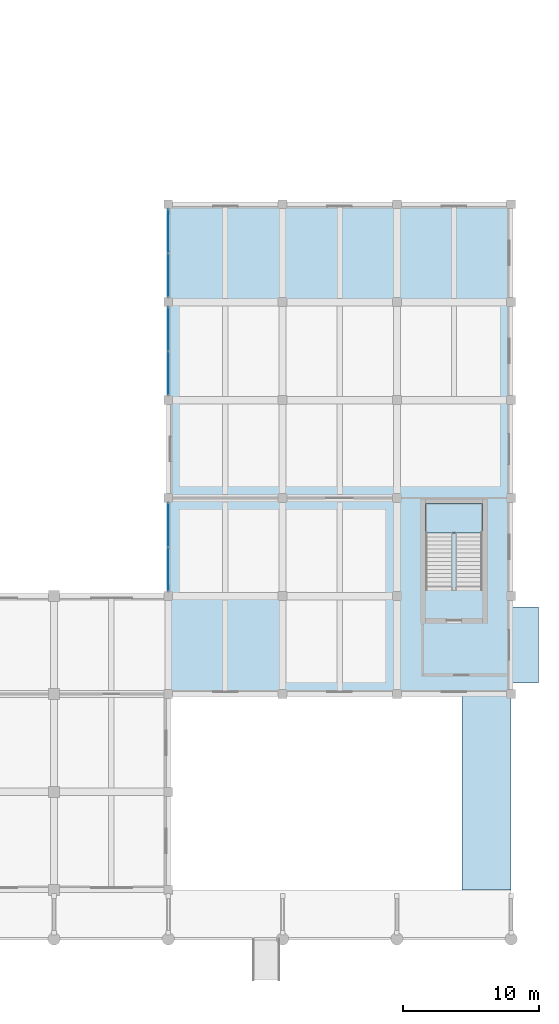
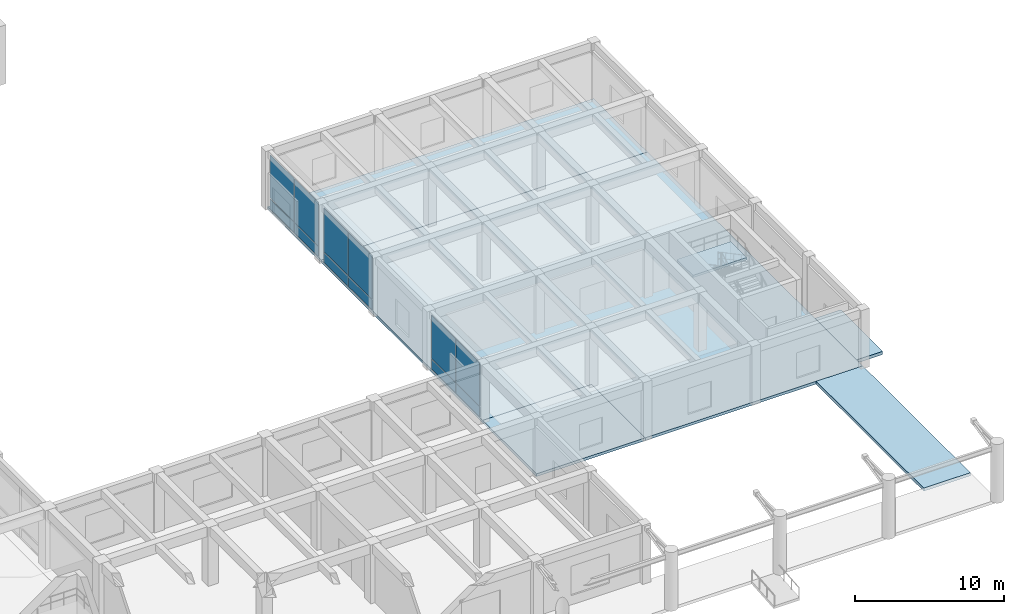
# One storey, part 21 of 49: 12 plates, 6 slabs, 4 elements without a shape of their own.
"""IFC4 building model written with IfcOpenShell, lengths in metres."""

from ifc_helpers import new_model, si_unit, direction, frame, origin, origin_2d, place, context, subcontext, project, spatial, polyline, rectangle, outline, extrude, material, layer, layer_set, type_object, element, aggregate, save


model = new_model("IFC4")

# Units and contexts
model_context = context("Model", 3, precision=1e-05, world=origin(), true_north=direction((0.0, 1.0)))
body_context = subcontext(model_context, "Body", "Model", "MODEL_VIEW")
ifc_project = project(units=[si_unit("LENGTHUNIT", "METRE"), si_unit("AREAUNIT", "SQUARE_METRE"), si_unit("VOLUMEUNIT", "CUBIC_METRE"), si_unit("PLANEANGLEUNIT", "RADIAN"), si_unit("MASSUNIT", "GRAM", prefix="KILO")], contexts=[model_context])

# Site, building, storey
site_placement = place(None, origin())
site = spatial("IfcSite", under=ifc_project, at=site_placement, CompositionType="ELEMENT")
building_placement = place(site_placement, origin())
building = spatial("IfcBuilding", under=site, at=building_placement, Name="Kenerak Square Central Library", CompositionType="ELEMENT")
storey_placement = place(building_placement, origin())
storey = spatial("IfcBuildingStorey", under=building, at=storey_placement, Name="L00", CompositionType="ELEMENT", Elevation=0.0)

# Curtain wall, plates
ifc_material_1 = material(Name="Anodised aluminium and solar-control low-E glazing", Category="aluminium")
curtain_wall_type = type_object("IfcCurtainWallType", Name="Curtain Wall CW-V2-65x45 6550x4525", PredefinedType="USERDEFINED", material=ifc_material_1)
curtain_wall_1_placement = place(storey_placement, origin())
curtain_wall_1 = element("IfcCurtainWall", 1, at=curtain_wall_1_placement, inside=storey, type_object=curtain_wall_type, Name="Curtain Wall CW-V2-65x45 L00 0014", ObjectType="CURTAIN WALL", PredefinedType="USERDEFINED")
ifc_material_2 = material(Name="Acoustic solar-control low-E double glazing", Category="glass")
ifc_layer_1 = layer(ifc_material_2, 0.028076171875)
ifc_layer_set_1 = layer_set([ifc_layer_1], Name="Acoustic solar-control low-E double glazing")
plate_type = type_object("IfcPlateType", Name="Acoustic Laminated Curtain Panel CP-28", PredefinedType="CURTAIN_PANEL", material=ifc_layer_set_1)
plate_1_placement = place(storey_placement, frame((150.800048828125, 40.37744140625, 0.06005859375), z_axis=(0.0, 0.0, 1.0), x_axis=(0.0, 1.0, 0.0)))
plate_1 = element("IfcPlate", 2, at=plate_1_placement, type_object=plate_type, Name="CW-V2-65x45 Panel 1.1", PredefinedType="CURTAIN_PANEL", context=body_context, shape_type="SweptSolid", body=[
    extrude(rectangle(XDim=3.18505859375, YDim=0.028076171875, at=origin_2d()), origin(), (0.0, 0.0, 1.0), 0.81005859375),
])
plate_2_placement = place(storey_placement, frame((150.800048828125, 40.37744140625, 0.93017578125), z_axis=(0.0, 0.0, 1.0), x_axis=(0.0, 1.0, 0.0)))
plate_2 = element("IfcPlate", 3, at=plate_2_placement, type_object=plate_type, Name="CW-V2-65x45 Panel 1.2", PredefinedType="CURTAIN_PANEL", context=body_context, shape_type="SweptSolid", body=[
    extrude(rectangle(XDim=3.18505859375, YDim=0.028076171875, at=origin_2d()), origin(), (0.0, 0.0, 1.0), 3.534912109375),
])
plate_3_placement = place(storey_placement, frame((150.800048828125, 43.62255859375, 0.06005859375), z_axis=(0.0, 0.0, 1.0), x_axis=(0.0, 1.0, 0.0)))
plate_3 = element("IfcPlate", 4, at=plate_3_placement, type_object=plate_type, Name="CW-V2-65x45 Panel 2.1", PredefinedType="CURTAIN_PANEL", context=body_context, shape_type="SweptSolid", body=[
    extrude(rectangle(XDim=3.18505859375, YDim=0.028076171875, at=origin_2d()), origin(), (0.0, 0.0, 1.0), 0.81005859375),
])
plate_4_placement = place(storey_placement, frame((150.800048828125, 43.62255859375, 0.93017578125), z_axis=(0.0, 0.0, 1.0), x_axis=(0.0, 1.0, 0.0)))
plate_4 = element("IfcPlate", 5, at=plate_4_placement, type_object=plate_type, Name="CW-V2-65x45 Panel 2.2", PredefinedType="CURTAIN_PANEL", context=body_context, shape_type="SweptSolid", body=[
    extrude(rectangle(XDim=3.18505859375, YDim=0.028076171875, at=origin_2d()), origin(), (0.0, 0.0, 1.0), 3.534912109375),
])
aggregate(curtain_wall_1, [plate_1, plate_2, plate_3, plate_4])

curtain_wall_2_placement = place(storey_placement, origin())
curtain_wall_2 = element("IfcCurtainWall", 6, at=curtain_wall_2_placement, inside=storey, type_object=curtain_wall_type, Name="Curtain Wall CW-V2-65x45 L00 0015", ObjectType="CURTAIN WALL", PredefinedType="USERDEFINED")
plate_5_placement = place(storey_placement, frame((150.800048828125, 54.777587890625, 0.06005859375), z_axis=(0.0, 0.0, 1.0), x_axis=(0.0, 1.0, 0.0)))
plate_5 = element("IfcPlate", 7, at=plate_5_placement, type_object=plate_type, Name="CW-V2-65x45 Panel 1.1", PredefinedType="CURTAIN_PANEL", context=body_context, shape_type="SweptSolid", body=[
    extrude(rectangle(XDim=3.18505859375, YDim=0.028076171875, at=origin_2d()), origin(), (0.0, 0.0, 1.0), 0.81005859375),
])
plate_6_placement = place(storey_placement, frame((150.800048828125, 54.777587890625, 0.93017578125), z_axis=(0.0, 0.0, 1.0), x_axis=(0.0, 1.0, 0.0)))
plate_6 = element("IfcPlate", 8, at=plate_6_placement, type_object=plate_type, Name="CW-V2-65x45 Panel 1.2", PredefinedType="CURTAIN_PANEL", context=body_context, shape_type="SweptSolid", body=[
    extrude(rectangle(XDim=3.18505859375, YDim=0.028076171875, at=origin_2d()), origin(), (0.0, 0.0, 1.0), 3.534912109375),
])
plate_7_placement = place(storey_placement, frame((150.800048828125, 58.0224609375, 0.06005859375), z_axis=(0.0, 0.0, 1.0), x_axis=(0.0, 1.0, 0.0)))
plate_7 = element("IfcPlate", 9, at=plate_7_placement, type_object=plate_type, Name="CW-V2-65x45 Panel 2.1", PredefinedType="CURTAIN_PANEL", context=body_context, shape_type="SweptSolid", body=[
    extrude(rectangle(XDim=3.18505859375, YDim=0.028076171875, at=origin_2d()), origin(), (0.0, 0.0, 1.0), 0.81005859375),
])
plate_8_placement = place(storey_placement, frame((150.800048828125, 58.0224609375, 0.93017578125), z_axis=(0.0, 0.0, 1.0), x_axis=(0.0, 1.0, 0.0)))
plate_8 = element("IfcPlate", 10, at=plate_8_placement, type_object=plate_type, Name="CW-V2-65x45 Panel 2.2", PredefinedType="CURTAIN_PANEL", context=body_context, shape_type="SweptSolid", body=[
    extrude(rectangle(XDim=3.18505859375, YDim=0.028076171875, at=origin_2d()), origin(), (0.0, 0.0, 1.0), 3.534912109375),
])
aggregate(curtain_wall_2, [plate_5, plate_6, plate_7, plate_8])

curtain_wall_3_placement = place(storey_placement, origin())
curtain_wall_3 = element("IfcCurtainWall", 11, at=curtain_wall_3_placement, inside=storey, type_object=curtain_wall_type, Name="Curtain Wall CW-V2-65x45 L00 0016", ObjectType="CURTAIN WALL", PredefinedType="USERDEFINED")
plate_9_placement = place(storey_placement, frame((150.800048828125, 61.9775390625, 0.06005859375), z_axis=(0.0, 0.0, 1.0), x_axis=(0.0, 1.0, 0.0)))
plate_9 = element("IfcPlate", 12, at=plate_9_placement, type_object=plate_type, Name="CW-V2-65x45 Panel 1.1", PredefinedType="CURTAIN_PANEL", context=body_context, shape_type="SweptSolid", body=[
    extrude(rectangle(XDim=3.18505859375, YDim=0.028076171875, at=origin_2d()), origin(), (0.0, 0.0, 1.0), 0.81005859375),
])
plate_10_placement = place(storey_placement, frame((150.800048828125, 61.9775390625, 0.93017578125), z_axis=(0.0, 0.0, 1.0), x_axis=(0.0, 1.0, 0.0)))
plate_10 = element("IfcPlate", 13, at=plate_10_placement, type_object=plate_type, Name="CW-V2-65x45 Panel 1.2", PredefinedType="CURTAIN_PANEL", context=body_context, shape_type="SweptSolid", body=[
    extrude(rectangle(XDim=3.18505859375, YDim=0.028076171875, at=origin_2d()), origin(), (0.0, 0.0, 1.0), 3.534912109375),
])
plate_11_placement = place(storey_placement, frame((150.800048828125, 65.222412109375, 0.06005859375), z_axis=(0.0, 0.0, 1.0), x_axis=(0.0, 1.0, 0.0)))
plate_11 = element("IfcPlate", 14, at=plate_11_placement, type_object=plate_type, Name="CW-V2-65x45 Panel 2.1", PredefinedType="CURTAIN_PANEL", context=body_context, shape_type="SweptSolid", body=[
    extrude(rectangle(XDim=3.18505859375, YDim=0.028076171875, at=origin_2d()), origin(), (0.0, 0.0, 1.0), 0.81005859375),
])
plate_12_placement = place(storey_placement, frame((150.800048828125, 65.222412109375, 0.93017578125), z_axis=(0.0, 0.0, 1.0), x_axis=(0.0, 1.0, 0.0)))
plate_12 = element("IfcPlate", 15, at=plate_12_placement, type_object=plate_type, Name="CW-V2-65x45 Panel 2.2", PredefinedType="CURTAIN_PANEL", context=body_context, shape_type="SweptSolid", body=[
    extrude(rectangle(XDim=3.18505859375, YDim=0.028076171875, at=origin_2d()), origin(), (0.0, 0.0, 1.0), 3.534912109375),
])
aggregate(curtain_wall_3, [plate_9, plate_10, plate_11, plate_12])

# Slabs
ifc_material_3 = material(Name="Concrete C40/50", Category="concrete")
ifc_layer_2 = layer(ifc_material_3, 0.22509765625)
ifc_layer_set_2 = layer_set([ifc_layer_2], Name="Concrete C40/50")
slab_type_1 = type_object("IfcSlabType", Name="General Reading Room Slab FS-225 C40/50", PredefinedType="FLOOR", material=ifc_layer_set_2)
slab_1_placement = place(storey_placement, frame((0.0, 0.0, -0.22509765625)))
element("IfcSlab", 16, at=slab_1_placement, inside=storey, type_object=slab_type_1, Name="V2 Floor Slab L00 023", PredefinedType="FLOOR", context=body_context, shape_type="SweptSolid", body=[
    extrude(outline(polyline([(150.800048828125, 60.0), (176.0, 60.0), (176.0, 31.199951171875), (159.199951171875, 31.199951171875), (159.199951171875, 38.39990234375), (150.800048828125, 38.39990234375), (150.800048828125, 60.0)])), origin(), (0.0, 0.0, 1.0), 0.22509765625),
])
slab_2_placement = place(storey_placement, frame((0.0, 0.0, -0.22509765625)))
element("IfcSlab", 17, at=slab_2_placement, inside=storey, type_object=slab_type_1, Name="V2 Floor Slab L00 024", PredefinedType="FLOOR", context=body_context, shape_type="SweptSolid", body=[
    extrude(outline(polyline([(159.199951171875, 31.199951171875), (159.199951171875, 38.39990234375), (150.800048828125, 38.39990234375), (150.800048828125, 31.199951171875), (159.199951171875, 31.199951171875)])), origin(), (0.0, 0.0, 1.0), 0.22509765625),
])
slab_3_placement = place(storey_placement, frame((0.0, 0.0, -0.22509765625)))
element("IfcSlab", 18, at=slab_3_placement, inside=storey, type_object=slab_type_1, Name="V2 Floor Slab L00 025", PredefinedType="FLOOR", context=body_context, shape_type="SweptSolid", body=[
    extrude(outline(polyline([(176.0, 60.0), (176.0, 67.199951171875), (150.800048828125, 67.199951171875), (150.800048828125, 60.0), (176.0, 60.0)])), origin(), (0.0, 0.0, 1.0), 0.22509765625),
])
ifc_layer_3 = layer(ifc_material_3, 0.260009765625)
ifc_layer_set_3 = layer_set([ifc_layer_3], Name="Concrete C40/50")
slab_type_2 = type_object("IfcSlabType", Name="Shaded Square Colonnade Deck Slab CS-260 C40/50", PredefinedType="FLOOR", material=ifc_layer_set_3)
slab_4_placement = place(storey_placement, frame((0.0, 0.0, -0.25)))
element("IfcSlab", 19, at=slab_4_placement, inside=storey, type_object=slab_type_2, Name="East Square Colonnade", PredefinedType="FLOOR", context=body_context, shape_type="SweptSolid", body=[
    extrude(outline(polyline([(172.39990234375, 16.800048828125), (176.0, 16.800048828125), (176.0, 31.199951171875), (172.39990234375, 31.199951171875), (172.39990234375, 16.800048828125)])), origin(), (0.0, 0.0, 1.0), 0.25),
])
slab_5_placement = place(storey_placement, frame((0.0, 0.0, -0.260009765625)))
element("IfcSlab", 20, at=slab_5_placement, inside=storey, type_object=slab_type_2, Name="East Fire Exit Apron ST-07", PredefinedType="FLOOR", context=body_context, shape_type="SweptSolid", body=[
    extrude(outline(polyline([(176.0, 32.0), (178.0, 32.0), (178.0, 37.60009765625), (176.0, 37.60009765625), (176.0, 32.0)])), origin(), (0.0, 0.0, 1.0), 0.260009765625),
])

# Stair, slab
stair_type = type_object("IfcStairType", Name="Exit Dogleg Stair ST-480 C40/50", PredefinedType="HALF_TURN_STAIR", material=ifc_material_3)
stair_placement = place(storey_placement, origin())
stair = element("IfcStair", 21, at=stair_placement, inside=storey, type_object=stair_type, Name="L00 Protected Exit Stair ST-07", PredefinedType="HALF_TURN_STAIR")
ifc_layer_4 = layer(ifc_material_3, 0.199951171875)
ifc_layer_set_4 = layer_set([ifc_layer_4], Name="Concrete C40/50")
slab_type_3 = type_object("IfcSlabType", Name="Stair Half-Landing Slab LD-200 C40/50", PredefinedType="LANDING", material=ifc_layer_set_4)
slab_6_placement = place(storey_placement, frame((0.0, 0.0, 2.199951171875)))
slab_6 = element("IfcSlab", 22, at=slab_6_placement, type_object=slab_type_3, Name="ST-07 Landing 1", PredefinedType="LANDING", context=body_context, shape_type="SweptSolid", body=[
    extrude(outline(polyline([(173.8798828125, 43.050048828125), (173.8798828125, 45.199951171875), (169.719970703125, 45.199951171875), (169.719970703125, 43.050048828125), (173.8798828125, 43.050048828125)])), origin(), (0.0, 0.0, 1.0), 0.199951171875),
])
aggregate(stair, [slab_6])

save(model, "model.ifc")
